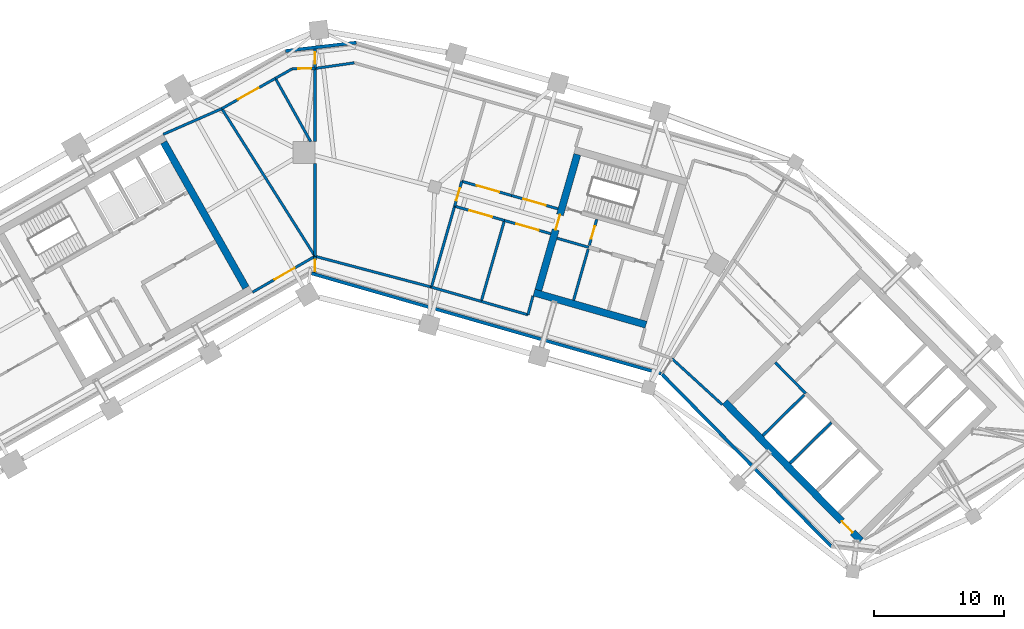
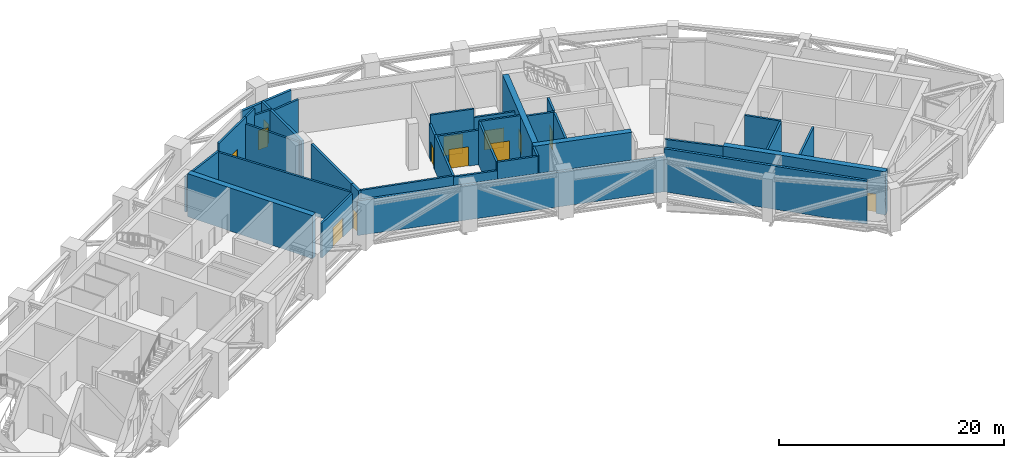
# One storey, part 11 of 16: 37 walls, 13 doors, 13 openings.
"""IFC4 building model written with IfcOpenShell, lengths in metres."""

from ifc_helpers import new_model, si_unit, direction, frame, frame_2d, origin, place, context, subcontext, project, spatial, rectangle, extrude, material, layer, layer_set, type_object, element, fill, save


model = new_model("IFC4")

# Units and contexts
model_context = context("Model", 3, precision=1e-05, world=origin(), true_north=direction((0.0, 1.0)))
body_context = subcontext(model_context, "Body", "Model", "MODEL_VIEW")
ifc_project = project(units=[si_unit("LENGTHUNIT", "METRE"), si_unit("AREAUNIT", "SQUARE_METRE"), si_unit("VOLUMEUNIT", "CUBIC_METRE"), si_unit("PLANEANGLEUNIT", "RADIAN"), si_unit("MASSUNIT", "GRAM", prefix="KILO")], contexts=[model_context])

# Site, building, storey
site_placement = place(None, origin())
site = spatial("IfcSite", under=ifc_project, at=site_placement, CompositionType="ELEMENT")
building_placement = place(site_placement, origin())
building = spatial("IfcBuilding", under=site, at=building_placement, Name="Binnacle Exchange Tower", CompositionType="ELEMENT")
storey_placement = place(building_placement, frame((0.0, 0.0, 149.89990234375)))
storey = spatial("IfcBuildingStorey", under=building, at=storey_placement, Name="L31", CompositionType="ELEMENT", Elevation=149.89990234375)

# Wall
ifc_material_1 = material(Name="Concrete C70/85", Category="concrete")
ifc_layer_1 = layer(ifc_material_1, 0.550048828125)
ifc_layer_set_1 = layer_set([ifc_layer_1], Name="Core wall - outer 550")
wall_type_1 = type_object("IfcWallType", Name="Core wall - outer 550", PredefinedType="SOLIDWALL", material=ifc_layer_set_1)
wall_1_placement = place(storey_placement, frame((-11.683837890625, 60.80029296875, 0.0), z_axis=(0.0, 0.0, 1.0), x_axis=(0.492427022044, -0.870353737259, 0.0)))
element("IfcWall", 1, at=wall_1_placement, inside=storey, type_object=wall_type_1, Name="Core wall CRWC24", PredefinedType="SOLIDWALL", context=body_context, shape_type="SweptSolid", body=[
    extrude(rectangle(XDim=12.89990234375, YDim=0.550048828125, at=frame_2d((6.449951171875, 0.0))), origin(), (0.0, 0.0, 1.0), 4.68017578125),
])

# Wall, opening, door
wall_2_placement = place(storey_placement, frame((31.627685546875, 40.7451171875, 0.0), z_axis=(0.0, 0.0, 1.0), x_axis=(0.700911255944, -0.713248491965, 0.0)))
wall_2 = element("IfcWall", 2, at=wall_2_placement, inside=storey, type_object=wall_type_1, Name="Core wall CRWB1", PredefinedType="SOLIDWALL", context=body_context, shape_type="SweptSolid", body=[
    extrude(rectangle(XDim=15.0, YDim=0.550048828125, at=frame_2d((7.5, 0.0))), origin(), (0.0, 0.0, 1.0), 4.68017578125),
])
opening_1_placement = place(wall_2_placement, frame((12.89990234375, 0.0, 0.0)))
opening_1 = element("IfcOpeningElement", 3, at=opening_1_placement, cuts=wall_2, Name="Opening DB7", PredefinedType="OPENING", context=body_context, shape_type="SweptSolid", body=[
    extrude(rectangle(XDim=1.199951171875, YDim=2.10009765625, at=frame_2d((0.60009765625, 1.050048828125))), frame((0.0, 0.284912109375, 0.0), z_axis=(0.0, -1.0, 0.0), x_axis=(1.0, 0.0, 0.0)), (0.0, 0.0, 1.0), 0.570068359375),
])
ifc_material_2 = material(Name="Steel door leaf", Category="steel")
door_type_1 = type_object("IfcDoorType", Name="Fire door 1200", OperationType="NOTDEFINED", PredefinedType="DOOR", material=ifc_material_2)
door_1_placement = place(opening_1_placement, frame((1.199951171875, 0.0, 0.0), z_axis=(0.0, 0.0, 1.0), x_axis=(-1.0, 0.0, 0.0)))
door_1 = element("IfcDoor", 4, at=door_1_placement, inside=storey, type_object=door_type_1, Name="Lift lobby entrance door core B", OperationType="SINGLE_SWING_LEFT", OverallHeight=2.10009765625, OverallWidth=1.199951171875, PredefinedType="DOOR", context=body_context, shape_type="SweptSolid", body=[
    extrude(rectangle(XDim=1.199951171875, YDim=2.10009765625, at=frame_2d((0.60009765625, 1.050048828125))), frame((0.0, 0.02490234375, 0.0), z_axis=(0.0, -1.0, 0.0), x_axis=(1.0, 0.0, 0.0)), (0.0, 0.0, 1.0), 0.050048828125),
])
fill(opening_1, door_1)

# Wall
wall_3_placement = place(storey_placement, frame((16.90380859375, 49.197265625, 0.0), z_axis=(0.0, 0.0, 1.0), x_axis=(0.96126248289, -0.275634611374, 0.0)))
element("IfcWall", 5, at=wall_3_placement, inside=storey, type_object=wall_type_1, Name="Core wall CRWD1", PredefinedType="SOLIDWALL", context=body_context, shape_type="SweptSolid", body=[
    extrude(rectangle(XDim=9.0, YDim=0.550048828125, at=frame_2d((4.5, 0.0))), origin(), (0.0, 0.0, 1.0), 4.68017578125),
])

# Wall, opening, door
wall_4_placement = place(storey_placement, frame((17.243896484375, 49.3857421875, 0.0), z_axis=(0.0, 0.0, 1.0), x_axis=(0.275632146085, 0.96126318979, 0.0)))
wall_4 = element("IfcWall", 6, at=wall_4_placement, inside=storey, type_object=wall_type_1, Name="Core wall CRWD7", PredefinedType="SOLIDWALL", context=body_context, shape_type="SweptSolid", body=[
    extrude(rectangle(XDim=10.89990234375, YDim=0.550048828125, at=frame_2d((5.449951171875, 0.0))), origin(), (0.0, 0.0, 1.0), 4.68017578125),
])
opening_2_placement = place(wall_4_placement, frame((4.85009765625, 0.0, 0.0)))
opening_2 = element("IfcOpeningElement", 7, at=opening_2_placement, cuts=wall_4, Name="Opening DD5", PredefinedType="OPENING", context=body_context, shape_type="SweptSolid", body=[
    extrude(rectangle(XDim=1.199951171875, YDim=2.10009765625, at=frame_2d((0.60009765625, 1.050048828125))), frame((0.0, 0.284912109375, 0.0), z_axis=(0.0, -1.0, 0.0), x_axis=(1.0, 0.0, 0.0)), (0.0, 0.0, 1.0), 0.570068359375),
])
door_2_placement = place(opening_2_placement, origin())
door_2 = element("IfcDoor", 8, at=door_2_placement, inside=storey, type_object=door_type_1, Name="Vestibule exit door VEST-W", OperationType="SINGLE_SWING_RIGHT", OverallHeight=2.10009765625, OverallWidth=1.199951171875, PredefinedType="DOOR", context=body_context, shape_type="SweptSolid", body=[
    extrude(rectangle(XDim=1.199951171875, YDim=2.10009765625, at=frame_2d((0.60009765625, 1.050048828125))), frame((0.0, 0.02490234375, 0.0), z_axis=(0.0, -1.0, 0.0), x_axis=(1.0, 0.0, 0.0)), (0.0, 0.0, 1.0), 0.050048828125),
])
fill(opening_2, door_2)

# Walls
ifc_material_3 = material(Name="Bronze aluminium louvre", Category="aluminium")
ifc_layer_2 = layer(ifc_material_3, 0.25)
ifc_layer_set_2 = layer_set([ifc_layer_2], Name="External wall - plant floor louvre 250")
wall_type_2 = type_object("IfcWallType", Name="External wall - plant floor louvre 250", PredefinedType="STANDARD", material=ifc_layer_set_2)
wall_5_placement = place(storey_placement, frame((-2.27783203125, 67.85009765625, 0.0), z_axis=(0.0, 0.0, 1.0), x_axis=(0.993072509993, 0.117503148449, 0.0)))
element("IfcWall", 9, at=wall_5_placement, inside=storey, type_object=wall_type_2, Name="External wall EW-Fm01 L31", PredefinedType="STANDARD", context=body_context, shape_type="SweptSolid", body=[
    extrude(rectangle(XDim=5.499755859375, YDim=0.25, at=frame_2d((2.75, 0.0))), origin(), (0.0, 0.0, 1.0), 3.76806640625),
])
wall_6_placement = place(storey_placement, frame((26.726318359375, 42.93701171875, 0.0), z_axis=(0.0, 0.0, 1.0), x_axis=(-0.96126039977, 0.275641876052, 0.0)))
element("IfcWall", 10, at=wall_6_placement, inside=storey, type_object=wall_type_2, Name="External wall EW-Fm07 L31", PredefinedType="STANDARD", context=body_context, shape_type="SweptSolid", body=[
    extrude(rectangle(XDim=28.08251953125, YDim=0.25, at=frame_2d((14.041259765625, 0.0))), origin(), (0.0, 0.0, 1.0), 3.76806640625),
])
wall_7_placement = place(storey_placement, frame((39.896728515625, 29.557861328125, 0.0), z_axis=(0.0, 0.0, 1.0), x_axis=(-0.700908640523, 0.713251062137, 0.0)))
element("IfcWall", 11, at=wall_7_placement, inside=storey, type_object=wall_type_2, Name="External wall EW-Fm08 L31", PredefinedType="STANDARD", context=body_context, shape_type="SweptSolid", body=[
    extrude(rectangle(XDim=18.71240234375, YDim=0.25, at=frame_2d((9.356201171875, 0.0))), origin(), (0.0, 0.0, 1.0), 4.68017578125),
])
ifc_material_4 = material(Name="Masonry block wall", Category="masonry")
ifc_layer_3 = layer(ifc_material_4, 0.199951171875)
ifc_layer_set_3 = layer_set([ifc_layer_3], Name="Fire wall - block 200")
wall_type_3 = type_object("IfcWallType", Name="Fire wall - block 200", PredefinedType="PARTITIONING", material=ifc_layer_set_3)
wall_8_placement = place(storey_placement, frame((-11.715087890625, 61.4140625, 0.0), z_axis=(0.0, 0.0, 1.0), x_axis=(0.915723068672, 0.401809981834, 0.0)))
element("IfcWall", 12, at=wall_8_placement, inside=storey, type_object=wall_type_3, Name="Partition W27", PredefinedType="PARTITIONING", context=body_context, shape_type="SweptSolid", body=[
    extrude(rectangle(XDim=4.93505859375, YDim=0.199951171875, at=frame_2d((2.467529296875, 0.0))), origin(), (0.0, 0.0, 1.0), 3.85205078125),
])

# Wall, opening, door
wall_9_placement = place(storey_placement, frame((-7.196044921875, 63.39697265625, 0.0), z_axis=(0.0, 0.0, 1.0), x_axis=(0.870338743261, 0.492453522659, 0.0)))
wall_9 = element("IfcWall", 13, at=wall_9_placement, inside=storey, type_object=wall_type_3, Name="Partition W28", PredefinedType="PARTITIONING", context=body_context, shape_type="SweptSolid", body=[
    extrude(rectangle(XDim=4.75, YDim=0.199951171875, at=frame_2d((2.375, 0.0))), origin(), (0.0, 0.0, 1.0), 4.68017578125),
])
opening_3_placement = place(wall_9_placement, frame((1.449951171875, 0.0, 0.0)))
opening_3 = element("IfcOpeningElement", 14, at=opening_3_placement, cuts=wall_9, Name="Opening DL31-09", PredefinedType="OPENING", context=body_context, shape_type="SweptSolid", body=[
    extrude(rectangle(XDim=1.800048828125, YDim=2.10009765625, at=frame_2d((0.89990234375, 1.050048828125))), frame((0.0, 0.10986328125, 0.0), z_axis=(0.0, -1.0, 0.0), x_axis=(1.0, 0.0, 0.0)), (0.0, 0.0, 1.0), 0.219970703125),
])
door_type_2 = type_object("IfcDoorType", Name="Fire door 1800", OperationType="NOTDEFINED", PredefinedType="DOOR", material=ifc_material_2)
door_3_placement = place(opening_3_placement, frame((1.800048828125, 0.0, 0.0), z_axis=(0.0, 0.0, 1.0), x_axis=(-1.0, 0.0, 0.0)))
door_3 = element("IfcDoor", 15, at=door_3_placement, inside=storey, type_object=door_type_2, Name="Door DL31-09", OperationType="DOUBLE_DOOR_SINGLE_SWING", OverallHeight=2.10009765625, OverallWidth=1.800048828125, PredefinedType="DOOR", context=body_context, shape_type="SweptSolid", body=[
    extrude(rectangle(XDim=1.800048828125, YDim=2.10009765625, at=frame_2d((0.89990234375, 1.050048828125))), frame((0.0, 0.02490234375, 0.0), z_axis=(0.0, -1.0, 0.0), x_axis=(1.0, 0.0, 0.0)), (0.0, 0.0, 1.0), 0.050048828125),
])
fill(opening_3, door_3)

# Wall
wall_10_placement = place(storey_placement, frame((-7.196044921875, 63.39697265625, 0.0), z_axis=(0.0, 0.0, 1.0), x_axis=(0.533884631006, -0.845557331454, 0.0)))
element("IfcWall", 16, at=wall_10_placement, inside=storey, type_object=wall_type_3, Name="Partition W29", PredefinedType="PARTITIONING", context=body_context, shape_type="SweptSolid", body=[
    extrude(rectangle(XDim=13.478759765625, YDim=0.199951171875, at=frame_2d((6.7392578125, 0.0))), origin(), (0.0, 0.0, 1.0), 3.748046875),
])

# Wall, opening, door
wall_11_placement = place(storey_placement, frame((-4.821044921875, 49.22998046875, 0.0), z_axis=(0.0, 0.0, 1.0), x_axis=(0.867068012741, 0.498189784401, 0.0)))
wall_11 = element("IfcWall", 17, at=wall_11_placement, inside=storey, type_object=wall_type_3, Name="Partition W30", PredefinedType="PARTITIONING", context=body_context, shape_type="SweptSolid", body=[
    extrude(rectangle(XDim=5.56005859375, YDim=0.199951171875, at=frame_2d((2.780029296875, 0.0))), origin(), (0.0, 0.0, 1.0), 3.748046875),
])
opening_4_placement = place(wall_11_placement, frame((1.949951171875, 0.0, 0.0)))
opening_4 = element("IfcOpeningElement", 18, at=opening_4_placement, cuts=wall_11, Name="Opening DL31-08", PredefinedType="OPENING", context=body_context, shape_type="SweptSolid", body=[
    extrude(rectangle(XDim=1.800048828125, YDim=2.10009765625, at=frame_2d((0.89990234375, 1.050048828125))), frame((0.0, 0.10986328125, 0.0), z_axis=(0.0, -1.0, 0.0), x_axis=(1.0, 0.0, 0.0)), (0.0, 0.0, 1.0), 0.219970703125),
])
door_4_placement = place(opening_4_placement, origin())
door_4 = element("IfcDoor", 19, at=door_4_placement, inside=storey, type_object=door_type_2, Name="Door DL31-08", OperationType="DOUBLE_DOOR_SINGLE_SWING", OverallHeight=2.10009765625, OverallWidth=1.800048828125, PredefinedType="DOOR", context=body_context, shape_type="SweptSolid", body=[
    extrude(rectangle(XDim=1.800048828125, YDim=2.10009765625, at=frame_2d((0.89990234375, 1.050048828125))), frame((0.0, 0.02490234375, 0.0), z_axis=(0.0, -1.0, 0.0), x_axis=(1.0, 0.0, 0.0)), (0.0, 0.0, 1.0), 0.050048828125),
])
fill(opening_4, door_4)

# Walls
wall_12_placement = place(storey_placement, frame((-3.06201171875, 65.736083984375, 0.0), z_axis=(0.0, 0.0, 1.0), x_axis=(0.870429354291, 0.492293346683, 0.0)))
element("IfcWall", 20, at=wall_12_placement, inside=storey, type_object=wall_type_3, Name="Partition W31", PredefinedType="PARTITIONING", context=body_context, shape_type="SweptSolid", body=[
    extrude(rectangle(XDim=1.499267578125, YDim=0.199951171875, at=frame_2d((0.74951171875, 0.0))), origin(), (0.0, 0.0, 1.0), 4.68017578125),
])
wall_13_placement = place(storey_placement, frame((-3.06201171875, 65.736083984375, 0.0), z_axis=(0.0, 0.0, 1.0), x_axis=(0.487364611917, -0.873198565649, 0.0)))
element("IfcWall", 21, at=wall_13_placement, inside=storey, type_object=wall_type_3, Name="Partition W32", PredefinedType="PARTITIONING", context=body_context, shape_type="SweptSolid", body=[
    extrude(rectangle(XDim=5.595458984375, YDim=0.199951171875, at=frame_2d((2.7978515625, 0.0))), origin(), (0.0, 0.0, 1.0), 3.960205078125),
])

# Wall, opening, door
wall_14_placement = place(storey_placement, frame((-1.757080078125, 66.47412109375, 0.0), z_axis=(0.0, 0.0, 1.0), x_axis=(0.999891555363, 0.014726761827, 0.0)))
wall_14 = element("IfcWall", 22, at=wall_14_placement, inside=storey, type_object=wall_type_3, Name="Partition W33", PredefinedType="PARTITIONING", context=body_context, shape_type="SweptSolid", body=[
    extrude(rectangle(XDim=1.75732421875, YDim=0.199951171875, at=frame_2d((0.878662109375, 0.0))), origin(), (0.0, 0.0, 1.0), 3.960205078125),
])
opening_5_placement = place(wall_14_placement, frame((0.449951171875, 0.0, 0.0)))
opening_5 = element("IfcOpeningElement", 23, at=opening_5_placement, cuts=wall_14, Name="Opening DL31-10", PredefinedType="OPENING", context=body_context, shape_type="SweptSolid", body=[
    extrude(rectangle(XDim=1.0, YDim=2.10009765625, at=frame_2d((0.5, 1.050048828125))), frame((0.0, 0.10986328125, 0.0), z_axis=(0.0, -1.0, 0.0), x_axis=(1.0, 0.0, 0.0)), (0.0, 0.0, 1.0), 0.219970703125),
])
door_type_3 = type_object("IfcDoorType", Name="Fire door 1000", OperationType="NOTDEFINED", PredefinedType="DOOR", material=ifc_material_2)
door_5_placement = place(opening_5_placement, frame((1.0, 0.0, 0.0), z_axis=(0.0, 0.0, 1.0), x_axis=(-1.0, 0.0, 0.0)))
door_5 = element("IfcDoor", 24, at=door_5_placement, inside=storey, type_object=door_type_3, Name="Door DL31-10", OperationType="SINGLE_SWING_LEFT", OverallHeight=2.10009765625, OverallWidth=1.0, PredefinedType="DOOR", context=body_context, shape_type="SweptSolid", body=[
    extrude(rectangle(XDim=1.0, YDim=2.10009765625, at=frame_2d((0.5, 1.050048828125))), frame((0.0, 0.02490234375, 0.0), z_axis=(0.0, -1.0, 0.0), x_axis=(1.0, 0.0, 0.0)), (0.0, 0.0, 1.0), 0.050048828125),
])
fill(opening_5, door_5)

# Walls
wall_15_placement = place(storey_placement, frame((0.0, 52.0, 0.0), z_axis=(0.0, 0.0, 1.0), x_axis=(0.966705801065, -0.255890394871, 0.0)))
element("IfcWall", 25, at=wall_15_placement, inside=storey, type_object=wall_type_3, Name="Partition W36", PredefinedType="PARTITIONING", context=body_context, shape_type="SweptSolid", body=[
    extrude(rectangle(XDim=9.296630859375, YDim=0.199951171875, at=frame_2d((4.6484375, 0.0))), origin(), (0.0, 0.0, 1.0), 3.860107421875),
])
wall_16_placement = place(storey_placement, frame((0.0, 66.5, 0.0), z_axis=(0.0, 0.0, 1.0), x_axis=(0.989887165849, 0.1418569663, 0.0)))
element("IfcWall", 26, at=wall_16_placement, inside=storey, type_object=wall_type_3, Name="Partition W39", PredefinedType="PARTITIONING", context=body_context, shape_type="SweptSolid", body=[
    extrude(rectangle(XDim=3.06005859375, YDim=0.199951171875, at=frame_2d((1.530029296875, 0.0))), origin(), (0.0, 0.0, 1.0), 3.748046875),
])
wall_17_placement = place(storey_placement, frame((8.987060546875, 49.62109375, 0.0), z_axis=(0.0, 0.0, 1.0), x_axis=(0.275703259795, 0.961242795832, 0.0)))
element("IfcWall", 27, at=wall_17_placement, inside=storey, type_object=wall_type_3, Name="Partition W41", PredefinedType="PARTITIONING", context=body_context, shape_type="SweptSolid", body=[
    extrude(rectangle(XDim=6.499755859375, YDim=0.199951171875, at=frame_2d((3.25, 0.0))), origin(), (0.0, 0.0, 1.0), 3.860107421875),
])
wall_18_placement = place(storey_placement, frame((8.987060546875, 49.62109375, 0.0), z_axis=(0.0, 0.0, 1.0), x_axis=(0.961228587008, -0.275752794216, 0.0)))
element("IfcWall", 28, at=wall_18_placement, inside=storey, type_object=wall_type_3, Name="Partition W42", PredefinedType="PARTITIONING", context=body_context, shape_type="SweptSolid", body=[
    extrude(rectangle(XDim=4.0, YDim=0.199951171875, at=frame_2d((2.0, 0.0))), origin(), (0.0, 0.0, 1.0), 3.748046875),
])

# Wall, opening, door
wall_19_placement = place(storey_placement, frame((10.779052734375, 55.868896484375, 0.0), z_axis=(0.0, 0.0, 1.0), x_axis=(0.275575706981, 0.961279371318, 0.0)))
wall_19 = element("IfcWall", 29, at=wall_19_placement, inside=storey, type_object=wall_type_3, Name="Partition W43", PredefinedType="PARTITIONING", context=body_context, shape_type="SweptSolid", body=[
    extrude(rectangle(XDim=1.99951171875, YDim=0.199951171875, at=frame_2d((0.999755859375, 0.0))), origin(), (0.0, 0.0, 1.0), 3.748046875),
])
opening_6_placement = place(wall_19_placement, frame((0.449951171875, 0.0, 0.0)))
opening_6 = element("IfcOpeningElement", 30, at=opening_6_placement, cuts=wall_19, Name="Opening DL31-15", PredefinedType="OPENING", context=body_context, shape_type="SweptSolid", body=[
    extrude(rectangle(XDim=1.0, YDim=2.10009765625, at=frame_2d((0.5, 1.050048828125))), frame((0.0, 0.10986328125, 0.0), z_axis=(0.0, -1.0, 0.0), x_axis=(1.0, 0.0, 0.0)), (0.0, 0.0, 1.0), 0.219970703125),
])
door_6_placement = place(opening_6_placement, origin())
door_6 = element("IfcDoor", 31, at=door_6_placement, inside=storey, type_object=door_type_3, Name="Door DL31-15", OperationType="SINGLE_SWING_LEFT", OverallHeight=2.10009765625, OverallWidth=1.0, PredefinedType="DOOR", context=body_context, shape_type="SweptSolid", body=[
    extrude(rectangle(XDim=1.0, YDim=2.10009765625, at=frame_2d((0.5, 1.050048828125))), frame((0.0, 0.02490234375, 0.0), z_axis=(0.0, -1.0, 0.0), x_axis=(1.0, 0.0, 0.0)), (0.0, 0.0, 1.0), 0.050048828125),
])
fill(opening_6, door_6)

wall_20_placement = place(storey_placement, frame((10.779052734375, 55.868896484375, 0.0), z_axis=(0.0, 0.0, 1.0), x_axis=(0.961244763457, -0.275696399552, 0.0)))
wall_20 = element("IfcWall", 32, at=wall_20_placement, inside=storey, type_object=wall_type_3, Name="Partition W44", PredefinedType="PARTITIONING", context=body_context, shape_type="SweptSolid", body=[
    extrude(rectangle(XDim=4.0, YDim=0.199951171875, at=frame_2d((2.0, 0.0))), origin(), (0.0, 0.0, 1.0), 3.748046875),
])
opening_7_placement = place(wall_20_placement, frame((1.199951171875, 0.0, 0.0)))
opening_7 = element("IfcOpeningElement", 33, at=opening_7_placement, cuts=wall_20, Name="Opening DL31-13", PredefinedType="OPENING", context=body_context, shape_type="SweptSolid", body=[
    extrude(rectangle(XDim=1.800048828125, YDim=2.10009765625, at=frame_2d((0.89990234375, 1.050048828125))), frame((0.0, 0.10986328125, 0.0), z_axis=(0.0, -1.0, 0.0), x_axis=(1.0, 0.0, 0.0)), (0.0, 0.0, 1.0), 0.219970703125),
])
door_7_placement = place(opening_7_placement, frame((1.800048828125, 0.0, 0.0), z_axis=(0.0, 0.0, 1.0), x_axis=(-1.0, 0.0, 0.0)))
door_7 = element("IfcDoor", 34, at=door_7_placement, inside=storey, type_object=door_type_2, Name="Door DL31-13", OperationType="DOUBLE_DOOR_SINGLE_SWING", OverallHeight=2.10009765625, OverallWidth=1.800048828125, PredefinedType="DOOR", context=body_context, shape_type="SweptSolid", body=[
    extrude(rectangle(XDim=1.800048828125, YDim=2.10009765625, at=frame_2d((0.89990234375, 1.050048828125))), frame((0.0, 0.02490234375, 0.0), z_axis=(0.0, -1.0, 0.0), x_axis=(1.0, 0.0, 0.0)), (0.0, 0.0, 1.0), 0.050048828125),
])
fill(opening_7, door_7)

wall_21_placement = place(storey_placement, frame((11.330078125, 57.791015625, 0.0), z_axis=(0.0, 0.0, 1.0), x_axis=(0.961293276216, -0.275527198479, 0.0)))
wall_21 = element("IfcWall", 35, at=wall_21_placement, inside=storey, type_object=wall_type_3, Name="Partition W46", PredefinedType="PARTITIONING", context=body_context, shape_type="SweptSolid", body=[
    extrude(rectangle(XDim=3.999755859375, YDim=0.199951171875, at=frame_2d((2.0, 0.0))), origin(), (0.0, 0.0, 1.0), 4.68017578125),
])
opening_8_placement = place(wall_21_placement, frame((1.199951171875, 0.0, 0.0)))
opening_8 = element("IfcOpeningElement", 36, at=opening_8_placement, cuts=wall_21, Name="Opening DL31-11", PredefinedType="OPENING", context=body_context, shape_type="SweptSolid", body=[
    extrude(rectangle(XDim=1.800048828125, YDim=2.10009765625, at=frame_2d((0.89990234375, 1.050048828125))), frame((0.0, 0.10986328125, 0.0), z_axis=(0.0, -1.0, 0.0), x_axis=(1.0, 0.0, 0.0)), (0.0, 0.0, 1.0), 0.219970703125),
])
door_8_placement = place(opening_8_placement, origin())
door_8 = element("IfcDoor", 37, at=door_8_placement, inside=storey, type_object=door_type_2, Name="Door DL31-11", OperationType="DOUBLE_DOOR_SINGLE_SWING", OverallHeight=2.10009765625, OverallWidth=1.800048828125, PredefinedType="DOOR", context=body_context, shape_type="SweptSolid", body=[
    extrude(rectangle(XDim=1.800048828125, YDim=2.10009765625, at=frame_2d((0.89990234375, 1.050048828125))), frame((0.0, 0.02490234375, 0.0), z_axis=(0.0, -1.0, 0.0), x_axis=(1.0, 0.0, 0.0)), (0.0, 0.0, 1.0), 0.050048828125),
])
fill(opening_8, door_8)

# Walls
wall_22_placement = place(storey_placement, frame((12.83203125, 48.51806640625, 0.0), z_axis=(0.0, 0.0, 1.0), x_axis=(0.275693305607, 0.961245650832, 0.0)))
element("IfcWall", 38, at=wall_22_placement, inside=storey, type_object=wall_type_3, Name="Partition W47", PredefinedType="PARTITIONING", context=body_context, shape_type="SweptSolid", body=[
    extrude(rectangle(XDim=6.5, YDim=0.199951171875, at=frame_2d((3.25, 0.0))), origin(), (0.0, 0.0, 1.0), 4.68017578125),
])
wall_23_placement = place(storey_placement, frame((12.83203125, 48.51806640625, 0.0), z_axis=(0.0, 0.0, 1.0), x_axis=(0.961228613303, -0.275752702557, 0.0)))
element("IfcWall", 39, at=wall_23_placement, inside=storey, type_object=wall_type_3, Name="Partition W48", PredefinedType="PARTITIONING", context=body_context, shape_type="SweptSolid", body=[
    extrude(rectangle(XDim=3.75048828125, YDim=0.199951171875, at=frame_2d((1.875244140625, 0.0))), origin(), (0.0, 0.0, 1.0), 4.68017578125),
])

# Wall, opening, door
wall_24_placement = place(storey_placement, frame((14.6240234375, 54.76611328125, 0.0), z_axis=(0.0, 0.0, 1.0), x_axis=(0.961263923107, -0.275629588639, 0.0)))
wall_24 = element("IfcWall", 40, at=wall_24_placement, inside=storey, type_object=wall_type_3, Name="Partition W50", PredefinedType="PARTITIONING", context=body_context, shape_type="SweptSolid", body=[
    extrude(rectangle(XDim=3.726318359375, YDim=0.199951171875, at=frame_2d((1.86328125, 0.0))), origin(), (0.0, 0.0, 1.0), 4.68017578125),
])
opening_9_placement = place(wall_24_placement, frame((0.949951171875, 0.0, 0.0)))
opening_9 = element("IfcOpeningElement", 41, at=opening_9_placement, cuts=wall_24, Name="Opening DL31-14", PredefinedType="OPENING", context=body_context, shape_type="SweptSolid", body=[
    extrude(rectangle(XDim=1.800048828125, YDim=2.10009765625, at=frame_2d((0.89990234375, 1.050048828125))), frame((0.0, 0.10986328125, 0.0), z_axis=(0.0, -1.0, 0.0), x_axis=(1.0, 0.0, 0.0)), (0.0, 0.0, 1.0), 0.219970703125),
])
door_9_placement = place(opening_9_placement, frame((1.800048828125, 0.0, 0.0), z_axis=(0.0, 0.0, 1.0), x_axis=(-1.0, 0.0, 0.0)))
door_9 = element("IfcDoor", 42, at=door_9_placement, inside=storey, type_object=door_type_2, Name="Door DL31-14", OperationType="DOUBLE_DOOR_SINGLE_SWING", OverallHeight=2.10009765625, OverallWidth=1.800048828125, PredefinedType="DOOR", context=body_context, shape_type="SweptSolid", body=[
    extrude(rectangle(XDim=1.800048828125, YDim=2.10009765625, at=frame_2d((0.89990234375, 1.050048828125))), frame((0.0, 0.02490234375, 0.0), z_axis=(0.0, -1.0, 0.0), x_axis=(1.0, 0.0, 0.0)), (0.0, 0.0, 1.0), 0.050048828125),
])
fill(opening_9, door_9)

wall_25_placement = place(storey_placement, frame((15.175048828125, 56.68896484375, 0.0), z_axis=(0.0, 0.0, 1.0), x_axis=(0.961281280398, -0.27556904753, 0.0)))
wall_25 = element("IfcWall", 43, at=wall_25_placement, inside=storey, type_object=wall_type_3, Name="Partition W52", PredefinedType="PARTITIONING", context=body_context, shape_type="SweptSolid", body=[
    extrude(rectangle(XDim=3.726318359375, YDim=0.199951171875, at=frame_2d((1.86328125, 0.0))), origin(), (0.0, 0.0, 1.0), 3.748046875),
])
opening_10_placement = place(wall_25_placement, frame((0.949951171875, 0.0, 0.0)))
opening_10 = element("IfcOpeningElement", 44, at=opening_10_placement, cuts=wall_25, Name="Opening DL31-12", PredefinedType="OPENING", context=body_context, shape_type="SweptSolid", body=[
    extrude(rectangle(XDim=1.800048828125, YDim=2.10009765625, at=frame_2d((0.89990234375, 1.050048828125))), frame((0.0, 0.10986328125, 0.0), z_axis=(0.0, -1.0, 0.0), x_axis=(1.0, 0.0, 0.0)), (0.0, 0.0, 1.0), 0.219970703125),
])
door_10_placement = place(opening_10_placement, origin())
door_10 = element("IfcDoor", 45, at=door_10_placement, inside=storey, type_object=door_type_2, Name="Door DL31-12", OperationType="DOUBLE_DOOR_SINGLE_SWING", OverallHeight=2.10009765625, OverallWidth=1.800048828125, PredefinedType="DOOR", context=body_context, shape_type="SweptSolid", body=[
    extrude(rectangle(XDim=1.800048828125, YDim=2.10009765625, at=frame_2d((0.89990234375, 1.050048828125))), frame((0.0, 0.02490234375, 0.0), z_axis=(0.0, -1.0, 0.0), x_axis=(1.0, 0.0, 0.0)), (0.0, 0.0, 1.0), 0.050048828125),
])
fill(opening_10, door_10)

# Walls
wall_26_placement = place(storey_placement, frame((16.43701171875, 47.48388671875, 0.0), z_axis=(0.0, 0.0, 1.0), x_axis=(0.260405090968, 0.965499450335, 0.0)))
element("IfcWall", 46, at=wall_26_placement, inside=storey, type_object=wall_type_3, Name="Partition W53", PredefinedType="PARTITIONING", context=body_context, shape_type="SweptSolid", body=[
    extrude(rectangle(XDim=1.5009765625, YDim=0.199951171875, at=frame_2d((0.75048828125, 0.0))), origin(), (0.0, 0.0, 1.0), 4.68017578125),
])
wall_27_placement = place(storey_placement, frame((27.555908203125, 44.09912109375, 0.0), z_axis=(0.0, 0.0, 1.0), x_axis=(0.737709390417, -0.675118400942, 0.0)))
element("IfcWall", 47, at=wall_27_placement, inside=storey, type_object=wall_type_3, Name="Partition W60", PredefinedType="PARTITIONING", context=body_context, shape_type="SweptSolid", body=[
    extrude(rectangle(XDim=5.254150390625, YDim=0.199951171875, at=frame_2d((2.626953125, 0.0))), origin(), (0.0, 0.0, 1.0), 4.68017578125),
])

# Wall, opening, door
ifc_material_5 = material(Name="Concrete fire wall C30/37", Category="concrete")
ifc_layer_4 = layer(ifc_material_5, 0.25)
ifc_layer_set_4 = layer_set([ifc_layer_4], Name="Fire wall - compartment 250")
wall_type_4 = type_object("IfcWallType", Name="Fire wall - compartment 250", PredefinedType="PARTITIONING", material=ifc_layer_set_4)
wall_28_placement = place(storey_placement, frame((0.0, 50.73095703125, 0.0), z_axis=(0.0, 0.0, 1.0), x_axis=(0.0, 1.0, 0.0)))
wall_28 = element("IfcWall", 48, at=wall_28_placement, inside=storey, type_object=wall_type_4, Name="Fire Wall W34", PredefinedType="PARTITIONING", context=body_context, shape_type="SweptSolid", body=[
    extrude(rectangle(XDim=1.26904296875, YDim=0.25, at=frame_2d((0.634521484375, 0.0))), origin(), (0.0, 0.0, 1.0), 4.68017578125),
])
opening_11_placement = place(wall_28_placement, frame((0.10009765625, 0.0, 0.0)))
opening_11 = element("IfcOpeningElement", 49, at=opening_11_placement, cuts=wall_28, Name="Opening DL31-22", PredefinedType="OPENING", context=body_context, shape_type="SweptSolid", body=[
    extrude(rectangle(XDim=0.89990234375, YDim=2.10009765625, at=frame_2d((0.449951171875, 1.050048828125))), frame((0.0, 0.135009765625, 0.0), z_axis=(0.0, -1.0, 0.0), x_axis=(1.0, 0.0, 0.0)), (0.0, 0.0, 1.0), 0.27001953125),
])
door_type_4 = type_object("IfcDoorType", Name="Fire door 900", OperationType="NOTDEFINED", PredefinedType="DOOR", material=ifc_material_2)
door_11_placement = place(opening_11_placement, origin())
door_11 = element("IfcDoor", 50, at=door_11_placement, inside=storey, type_object=door_type_4, Name="Door DL31-22", OperationType="SINGLE_SWING_LEFT", OverallHeight=2.10009765625, OverallWidth=0.89990234375, PredefinedType="DOOR", context=body_context, shape_type="SweptSolid", body=[
    extrude(rectangle(XDim=0.89990234375, YDim=2.10009765625, at=frame_2d((0.449951171875, 1.050048828125))), frame((0.0, 0.02490234375, 0.0), z_axis=(0.0, -1.0, 0.0), x_axis=(1.0, 0.0, 0.0)), (0.0, 0.0, 1.0), 0.050048828125),
])
fill(opening_11, door_11)

# Walls
wall_29_placement = place(storey_placement, frame((0.0, 52.0, 0.0), z_axis=(0.0, 0.0, 1.0), x_axis=(0.0, 1.0, 0.0)))
element("IfcWall", 51, at=wall_29_placement, inside=storey, type_object=wall_type_4, Name="Fire Wall W35", PredefinedType="PARTITIONING", context=body_context, shape_type="SweptSolid", body=[
    extrude(rectangle(XDim=7.14990234375, YDim=0.25, at=frame_2d((3.574951171875, 0.0))), origin(), (0.0, 0.0, 1.0), 4.68017578125),
])
wall_30_placement = place(storey_placement, frame((0.0, 60.85009765625, 0.0), z_axis=(0.0, 0.0, 1.0), x_axis=(0.0, 1.0, 0.0)))
element("IfcWall", 52, at=wall_30_placement, inside=storey, type_object=wall_type_4, Name="Fire Wall W37", PredefinedType="PARTITIONING", context=body_context, shape_type="SweptSolid", body=[
    extrude(rectangle(XDim=5.64990234375, YDim=0.25, at=frame_2d((2.824951171875, 0.0))), origin(), (0.0, 0.0, 1.0), 3.960205078125),
])

# Wall, opening, door
wall_31_placement = place(storey_placement, frame((0.0, 66.5, 0.0), z_axis=(0.0, 0.0, 1.0), x_axis=(0.0, 1.0, 0.0)))
wall_31 = element("IfcWall", 53, at=wall_31_placement, inside=storey, type_object=wall_type_4, Name="Fire Wall W38", PredefinedType="PARTITIONING", context=body_context, shape_type="SweptSolid", body=[
    extrude(rectangle(XDim=1.493896484375, YDim=0.25, at=frame_2d((0.7470703125, 0.0))), origin(), (0.0, 0.0, 1.0), 3.960205078125),
])
opening_12_placement = place(wall_31_placement, frame((0.35009765625, 0.0, 0.0)))
opening_12 = element("IfcOpeningElement", 54, at=opening_12_placement, cuts=wall_31, Name="Opening DL31-23", PredefinedType="OPENING", context=body_context, shape_type="SweptSolid", body=[
    extrude(rectangle(XDim=0.89990234375, YDim=2.10009765625, at=frame_2d((0.449951171875, 1.050048828125))), frame((0.0, 0.135009765625, 0.0), z_axis=(0.0, -1.0, 0.0), x_axis=(1.0, 0.0, 0.0)), (0.0, 0.0, 1.0), 0.27001953125),
])
door_12_placement = place(opening_12_placement, origin())
door_12 = element("IfcDoor", 55, at=door_12_placement, inside=storey, type_object=door_type_4, Name="Door DL31-23", OperationType="SINGLE_SWING_RIGHT", OverallHeight=2.10009765625, OverallWidth=0.89990234375, PredefinedType="DOOR", context=body_context, shape_type="SweptSolid", body=[
    extrude(rectangle(XDim=0.89990234375, YDim=2.10009765625, at=frame_2d((0.449951171875, 1.050048828125))), frame((0.0, 0.02490234375, 0.0), z_axis=(0.0, -1.0, 0.0), x_axis=(1.0, 0.0, 0.0)), (0.0, 0.0, 1.0), 0.050048828125),
])
fill(opening_12, door_12)

ifc_layer_5 = layer(ifc_material_4, 0.199951171875)
ifc_layer_set_5 = layer_set([ifc_layer_5], Name="Fire wall - vestibule 200")
wall_type_5 = type_object("IfcWallType", Name="Fire wall - vestibule 200", PredefinedType="PARTITIONING", material=ifc_layer_set_5)
wall_32_placement = place(storey_placement, frame((21.172119140625, 52.836669921875, 0.0), z_axis=(0.0, 0.0, 1.0), x_axis=(0.275657676022, 0.961255868981, 0.0)))
wall_32 = element("IfcWall", 56, at=wall_32_placement, inside=storey, type_object=wall_type_5, Name="Core wall CRWD9", PredefinedType="PARTITIONING", context=body_context, shape_type="SweptSolid", body=[
    extrude(rectangle(XDim=2.099853515625, YDim=0.199951171875, at=frame_2d((1.0498046875, 0.0))), origin(), (0.0, 0.0, 1.0), 4.68017578125),
])
opening_13_placement = place(wall_32_placement, frame((0.550048828125, 0.0, 0.0)))
opening_13 = element("IfcOpeningElement", 57, at=opening_13_placement, cuts=wall_32, Name="Opening DD3", PredefinedType="OPENING", context=body_context, shape_type="SweptSolid", body=[
    extrude(rectangle(XDim=1.0, YDim=2.10009765625, at=frame_2d((0.5, 1.050048828125))), frame((0.0, 0.10986328125, 0.0), z_axis=(0.0, -1.0, 0.0), x_axis=(1.0, 0.0, 0.0)), (0.0, 0.0, 1.0), 0.219970703125),
])
door_13_placement = place(opening_13_placement, origin())
door_13 = element("IfcDoor", 58, at=door_13_placement, inside=storey, type_object=door_type_3, Name="Vestibule door VEST-W", OperationType="SINGLE_SWING_RIGHT", OverallHeight=2.10009765625, OverallWidth=1.0, PredefinedType="DOOR", context=body_context, shape_type="SweptSolid", body=[
    extrude(rectangle(XDim=1.0, YDim=2.10009765625, at=frame_2d((0.5, 1.050048828125))), frame((0.0, 0.02490234375, 0.0), z_axis=(0.0, -1.0, 0.0), x_axis=(1.0, 0.0, 0.0)), (0.0, 0.0, 1.0), 0.050048828125),
])
fill(opening_13, door_13)

# Walls
ifc_layer_6 = layer(ifc_material_4, 0.199951171875)
ifc_layer_set_6 = layer_set([ifc_layer_6], Name="Riser wall 200")
wall_type_6 = type_object("IfcWallType", Name="Riser wall 200", PredefinedType="SOLIDWALL", material=ifc_layer_set_6)
wall_33_placement = place(storey_placement, frame((35.526123046875, 43.804931640625, 0.0), z_axis=(0.0, 0.0, 1.0), x_axis=(0.700884863746, -0.713274426691, 0.0)))
element("IfcWall", 59, at=wall_33_placement, inside=storey, type_object=wall_type_6, Name="Core wall CRWB2", PredefinedType="SOLIDWALL", context=body_context, shape_type="SweptSolid", body=[
    extrude(rectangle(XDim=3.349853515625, YDim=0.199951171875, at=frame_2d((1.6748046875, 0.0))), origin(), (0.0, 0.0, 1.0), 4.68017578125),
])
wall_34_placement = place(storey_placement, frame((34.5576171875, 38.15625, 0.0), z_axis=(0.0, 0.0, 1.0), x_axis=(0.713237924006, 0.700922009755, 0.0)))
element("IfcWall", 60, at=wall_34_placement, inside=storey, type_object=wall_type_6, Name="Core wall CRWB9", PredefinedType="SOLIDWALL", context=body_context, shape_type="SweptSolid", body=[
    extrude(rectangle(XDim=4.499755859375, YDim=0.199951171875, at=frame_2d((2.25, 0.0))), origin(), (0.0, 0.0, 1.0), 4.68017578125),
])
wall_35_placement = place(storey_placement, frame((18.6796875, 53.3955078125, 0.0), z_axis=(0.0, 0.0, 1.0), x_axis=(0.961234387647, -0.275732573349, 0.0)))
element("IfcWall", 61, at=wall_35_placement, inside=storey, type_object=wall_type_6, Name="Core wall CRWD2", PredefinedType="SOLIDWALL", context=body_context, shape_type="SweptSolid", body=[
    extrude(rectangle(XDim=2.550048828125, YDim=0.199951171875, at=frame_2d((1.27490234375, 0.0))), origin(), (0.0, 0.0, 1.0), 4.68017578125),
])
wall_36_placement = place(storey_placement, frame((19.95947265625, 48.607177734375, 0.0), z_axis=(0.0, 0.0, 1.0), x_axis=(0.275641165445, 0.961260603537, 0.0)))
element("IfcWall", 62, at=wall_36_placement, inside=storey, type_object=wall_type_6, Name="Core wall CRWD8", PredefinedType="SOLIDWALL", context=body_context, shape_type="SweptSolid", body=[
    extrude(rectangle(XDim=4.10009765625, YDim=0.199951171875, at=frame_2d((2.050048828125, 0.0))), origin(), (0.0, 0.0, 1.0), 4.68017578125),
])
ifc_layer_7 = layer(ifc_material_4, 0.199951171875)
ifc_layer_set_7 = layer_set([ifc_layer_7], Name="Shaft wall 200")
wall_type_7 = type_object("IfcWallType", Name="Shaft wall 200", PredefinedType="SOLIDWALL", material=ifc_layer_set_7)
wall_37_placement = place(storey_placement, frame((36.66015625, 36.0166015625, 0.0), z_axis=(0.0, 0.0, 1.0), x_axis=(0.713264577552, 0.700894886848, 0.0)))
element("IfcWall", 63, at=wall_37_placement, inside=storey, type_object=wall_type_7, Name="Core wall CRWB10", PredefinedType="SOLIDWALL", context=body_context, shape_type="SweptSolid", body=[
    extrude(rectangle(XDim=4.5, YDim=0.199951171875, at=frame_2d((2.25, 0.0))), origin(), (0.0, 0.0, 1.0), 4.68017578125),
])

save(model, "model.ifc")
